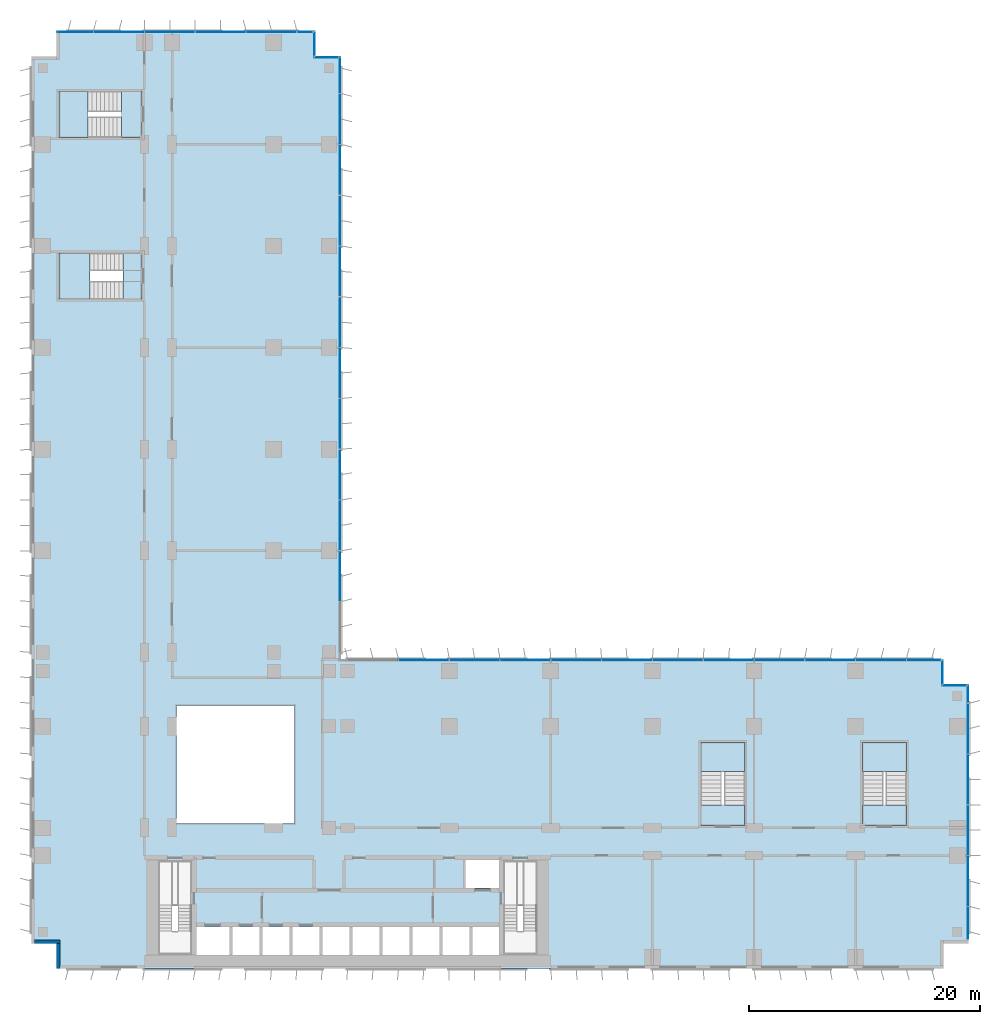
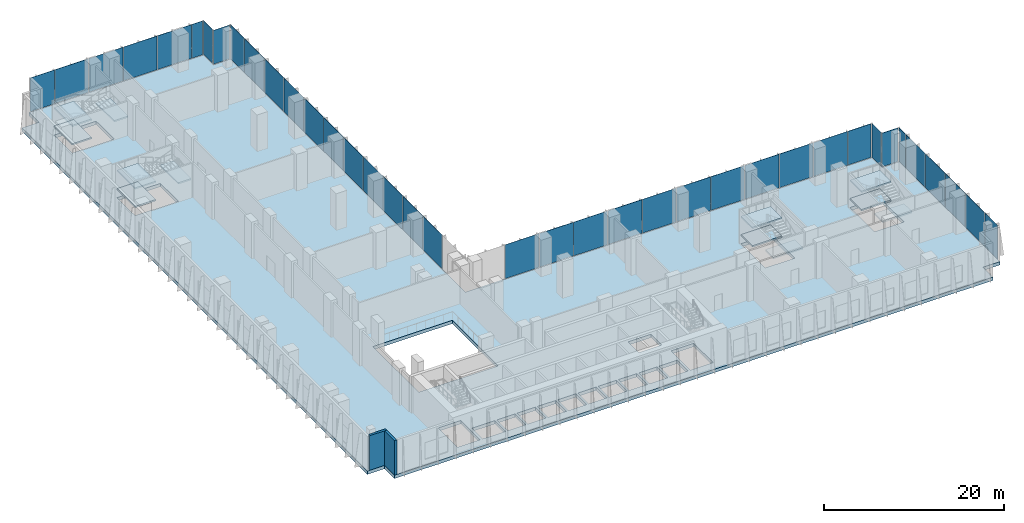
# One storey, part 11 of 23: 38 plates, 13 slabs, 2 walls, 12 elements without a shape of their own.
"""IFC4 building model written with IfcOpenShell, lengths in metres."""

import ifcopenshell
import ifcopenshell.guid

model = None  # the IFC model being written
_history = None  # IfcOwnerHistory: only IFC2X3 demands one
_inside = {}  # id of a spatial element -> (the spatial element, [elements in it])
_under = {}  # id of a project, library or spatial element -> (it, [spatial elements below it])
_declared = {}  # id of a project -> (the project, [libraries it declares])
_typed = {}  # id of a type object -> (the type object, [elements of that type])
_made_of = {}  # id of a material, layer set ... -> (it, [elements and type objects made of it])


def new_model(schema):
    """Start an empty IFC model of exactly this schema.

    Asked for "IFC4X3", IfcOpenShell would pick the latest addendum, in which some entities
    have other attributes; the version numbers below select the first issue.
    IFC2X3 requires an IfcOwnerHistory on every rooted entity: one is made here for all.
    """
    global model, _history
    if schema == "IFC4X3":
        model = ifcopenshell.file(schema_version=(4, 3, 0, 0))
    else:
        model = ifcopenshell.file(schema=schema)
    _inside.clear()
    _under.clear()
    _declared.clear()
    _typed.clear()
    _made_of.clear()
    _history = None
    if model.schema == "IFC2X3":
        org = make("IfcOrganization", Name="unknown")
        user = make(
            "IfcPersonAndOrganization",
            ThePerson=make("IfcPerson", FamilyName="unknown"),
            TheOrganization=org,
        )
        app = make(
            "IfcApplication",
            ApplicationDeveloper=org,
            Version="unknown",
            ApplicationFullName="unknown",
            ApplicationIdentifier="unknown",
        )
        _history = make(
            "IfcOwnerHistory",
            OwningUser=user,
            OwningApplication=app,
            ChangeAction="ADDED",
            CreationDate=0,
        )
    return model


def make(cls, **values):
    """One entity of the class cls with the attributes given. An attribute that is None is left unset."""
    return model.create_entity(
        cls, **{name: value for name, value in values.items() if value is not None}
    )


def rooted(cls, **values):
    """An entity with a GlobalId (a new one), such as an element, a storey or a relation."""
    return make(cls, GlobalId=ifcopenshell.guid.new(), OwnerHistory=_history, **values)


def si_unit(unit_type, name, prefix=None):
    """IfcSIUnit, for example si_unit("LENGTHUNIT", "METRE", prefix="MILLI")."""
    return make("IfcSIUnit", UnitType=unit_type, Prefix=prefix, Name=name)


def assignment(units):
    """IfcUnitAssignment: the units of a project."""
    return None if units is None else make("IfcUnitAssignment", Units=units)


def point(xyz):
    """IfcCartesianPoint."""
    return None if xyz is None else make("IfcCartesianPoint", Coordinates=xyz)


def direction(xyz):
    """IfcDirection."""
    return None if xyz is None else make("IfcDirection", DirectionRatios=xyz)


def frame(location, z_axis=None, x_axis=None):
    """IfcAxis2Placement3D, a coordinate frame: its origin and axes. An axis left out is left unset."""
    return make(
        "IfcAxis2Placement3D",
        Location=point(location),
        Axis=direction(z_axis),
        RefDirection=direction(x_axis),
    )


def frame_2d(location, x_axis=None):
    """IfcAxis2Placement2D, a coordinate frame in the plane: its origin and x axis."""
    return make(
        "IfcAxis2Placement2D", Location=point(location), RefDirection=direction(x_axis)
    )


def origin():
    """The frame at (0, 0, 0) with its axes left unset."""
    return frame((0.0, 0.0, 0.0))


def origin_2d():
    """The frame at (0, 0) in the plane with its x axis left unset."""
    return frame_2d((0.0, 0.0))


def place(relative_to, where):
    """IfcLocalPlacement: puts the frame where relative to a parent placement (None: the world)."""
    return make(
        "IfcLocalPlacement", PlacementRelTo=relative_to, RelativePlacement=where
    )


def context(
    kind, dimensions, precision=None, world=None, true_north=None, identifier=None
):
    """IfcGeometricRepresentationContext, for example the 3D "Model" context."""
    return make(
        "IfcGeometricRepresentationContext",
        ContextIdentifier=identifier,
        ContextType=kind,
        CoordinateSpaceDimension=dimensions,
        Precision=precision,
        WorldCoordinateSystem=world,
        TrueNorth=true_north,
    )


def subcontext(parent, identifier, kind, view, scale=None):
    """IfcGeometricRepresentationSubContext, for example "Body" below "Model"."""
    return make(
        "IfcGeometricRepresentationSubContext",
        ContextIdentifier=identifier,
        ContextType=kind,
        ParentContext=parent,
        TargetScale=scale,
        TargetView=view,
    )


def project(units=None, contexts=None):
    """IfcProject with its units and contexts."""
    return rooted(
        "IfcProject",
        Name="project",
        RepresentationContexts=contexts,
        UnitsInContext=assignment(units),
    )


def spatial(cls, under=None, at=None, **own):
    """A site, building, storey or space (cls), placed at a placement, below another one or the project."""
    s = rooted(cls, ObjectPlacement=at, **own)
    if under is not None:
        _under.setdefault(under.id(), (under, []))[1].append(s)
    return s


def polyline(points):
    """IfcPolyline through the points."""
    return make("IfcPolyline", Points=[point(p) for p in points])


def profile(cls, at=None, kind="AREA", **sizes):
    """A parametric profile (cls). Its sizes go by their IFC names, for example OverallWidth=200.0."""
    return make(cls, ProfileType=kind, Position=at, **sizes)


def rectangle(**sizes):
    """IfcRectangleProfileDef."""
    return profile("IfcRectangleProfileDef", **sizes)


def outline(outer, holes=None, kind="AREA"):
    """IfcArbitraryClosedProfileDef: a profile drawn as a closed curve; with holes, ...WithVoids."""
    if holes is None:
        return make("IfcArbitraryClosedProfileDef", ProfileType=kind, OuterCurve=outer)
    return make(
        "IfcArbitraryProfileDefWithVoids",
        ProfileType=kind,
        OuterCurve=outer,
        InnerCurves=holes,
    )


def extrude(swept, where, along, depth):
    """IfcExtrudedAreaSolid: the profile swept, set in the frame where, extruded along a direction by depth."""
    return make(
        "IfcExtrudedAreaSolid",
        SweptArea=swept,
        Position=where,
        ExtrudedDirection=direction(along),
        Depth=depth,
    )


def shape(context_of_items, identifier, shape_type, items):
    """IfcShapeRepresentation: the items that make up one representation, for example the "Body"."""
    return make(
        "IfcShapeRepresentation",
        ContextOfItems=context_of_items,
        RepresentationIdentifier=identifier,
        RepresentationType=shape_type,
        Items=items,
    )


def source(mapping_origin, context_of_items, identifier, shape_type, items):
    """IfcRepresentationMap: a shape defined once, which mapped items show again and again."""
    return make(
        "IfcRepresentationMap",
        MappingOrigin=mapping_origin,
        MappedRepresentation=shape(context_of_items, identifier, shape_type, items),
    )


def transform(
    local_origin,
    x_axis=None,
    y_axis=None,
    z_axis=None,
    scale=None,
    scale2=None,
    scale3=None,
    uniform=True,
):
    """IfcCartesianTransformationOperator3D, or its non-uniform kind. x_axis, y_axis, z_axis: its Axis1, 2, 3."""
    if uniform:
        return make(
            "IfcCartesianTransformationOperator3D",
            Axis1=direction(x_axis),
            Axis2=direction(y_axis),
            LocalOrigin=point(local_origin),
            Scale=scale,
            Axis3=direction(z_axis),
        )
    return make(
        "IfcCartesianTransformationOperator3DnonUniform",
        Axis1=direction(x_axis),
        Axis2=direction(y_axis),
        LocalOrigin=point(local_origin),
        Scale=scale,
        Axis3=direction(z_axis),
        Scale2=scale2,
        Scale3=scale3,
    )


def mapped(mapping_source, mapping_target):
    """IfcMappedItem: shows the shape of a source again, moved by a transform."""
    return make(
        "IfcMappedItem", MappingSource=mapping_source, MappingTarget=mapping_target
    )


def material(Name=None, Category=None):
    """IfcMaterial."""
    return make("IfcMaterial", Name=Name, Category=Category)


def layer(
    of_material, thickness, ventilated=None, Name=None, Category=None, Priority=None
):
    """IfcMaterialLayer: one layer of a wall or slab, of a material (None: an air gap)."""
    return make(
        "IfcMaterialLayer",
        Material=of_material,
        LayerThickness=thickness,
        IsVentilated=ventilated,
        Name=Name,
        Category=Category,
        Priority=Priority,
    )


def layer_set(layers, Name=None):
    """IfcMaterialLayerSet."""
    return make("IfcMaterialLayerSet", MaterialLayers=layers, LayerSetName=Name)


def made_of(thing, what):
    """Note that an element or type object is made of a material, layer set ...; save() writes the relation."""
    if what is not None:
        _made_of.setdefault(what.id(), (what, []))[1].append(thing)
    return thing


def type_object(cls, material=None, **own):
    """A type object (cls), such as IfcWallType, which elements share."""
    return made_of(rooted(cls, **own), material)


def element(
    cls,
    number,
    at=None,
    inside=None,
    cuts=None,
    type_object=None,
    material=None,
    context=None,
    identifier="Body",
    shape_type=None,
    held_by="IfcProductDefinitionShape",
    body=None,
    shapes=None,
    **own,
):
    """One element of the class cls, such as IfcWall. Its Tag is "e" and its number.

    at: its placement. inside: the storey or other place that contains it. cuts: it is an
    opening in that element (IfcRelVoidsElement). A single representation is given by context,
    identifier, shape_type and body (its items); several are given by shapes. held_by: the class
    of the entity that holds the representations. save() writes the other relations.
    """
    e = rooted(cls, Tag="e%d" % number, ObjectPlacement=at, **own)
    if body is not None:
        shapes = [shape(context, identifier, shape_type, body)]
    if shapes is not None:
        e.Representation = make(held_by, Representations=shapes)
    if inside is not None:
        _inside.setdefault(inside.id(), (inside, []))[1].append(e)
    if cuts is not None:
        rooted(
            "IfcRelVoidsElement", RelatingBuildingElement=cuts, RelatedOpeningElement=e
        )
    if type_object is not None:
        _typed.setdefault(type_object.id(), (type_object, []))[1].append(e)
    return made_of(e, material)


def aggregate(whole, parts):
    """IfcRelAggregates: a whole, such as a stair, and the parts it consists of."""
    return rooted("IfcRelAggregates", RelatingObject=whole, RelatedObjects=parts)


def save(model, path):
    """Write the relations noted so far, then the file.

    IfcRelAggregates (storeys below a building ...), IfcRelContainedInSpatialStructure (elements
    in a storey), IfcRelDefinesByType, IfcRelAssociatesMaterial and IfcRelDeclares: one each for
    every whole, place, type object, material and project.
    """
    for whole, parts in _under.values():
        aggregate(whole, parts)
    for where, things in _inside.values():
        rooted(
            "IfcRelContainedInSpatialStructure",
            RelatedElements=things,
            RelatingStructure=where,
        )
    for kind, things in _typed.values():
        rooted("IfcRelDefinesByType", RelatedObjects=things, RelatingType=kind)
    for what, things in _made_of.values():
        rooted("IfcRelAssociatesMaterial", RelatedObjects=things, RelatingMaterial=what)
    for by, libraries in _declared.values():
        rooted("IfcRelDeclares", RelatingContext=by, RelatedDefinitions=libraries)
    model.write(path)


model = new_model("IFC4")

# Units and contexts
model_context = context("Model", 3, precision=1e-05, world=origin(), true_north=direction((0.0, 1.0)))
body_context = subcontext(model_context, "Body", "Model", "MODEL_VIEW")
ifc_project = project(units=[si_unit("LENGTHUNIT", "METRE"), si_unit("AREAUNIT", "SQUARE_METRE"), si_unit("VOLUMEUNIT", "CUBIC_METRE"), si_unit("PLANEANGLEUNIT", "RADIAN"), si_unit("MASSUNIT", "GRAM", prefix="KILO")], contexts=[model_context])

# Site, building, storey
site_placement = place(None, origin())
site = spatial("IfcSite", under=ifc_project, at=site_placement, CompositionType="ELEMENT")
building_placement = place(site_placement, origin())
building = spatial("IfcBuilding", under=site, at=building_placement, Name="Kemantara Hotel Tower", CompositionType="ELEMENT")
storey_placement = place(building_placement, frame((0.0, 0.0, 71.0)))
storey = spatial("IfcBuildingStorey", under=building, at=storey_placement, Name="L16", CompositionType="ELEMENT", Elevation=71.0)

# Slab
ifc_material_1 = material(Name="Concrete fc 40 MPa", Category="concrete")
ifc_layer_1 = layer(ifc_material_1, 0.449951171875)
ifc_layer_set_1 = layer_set([ifc_layer_1], Name="Concrete fc 40 MPa")
slab_type_1 = type_object("IfcSlabType", Name="REINFORCED DIAPHRAGM SLAB 450", PredefinedType="FLOOR", material=ifc_layer_set_1)
slab_1_placement = place(storey_placement, frame((0.0, 0.0, -0.449951171875)))
element("IfcSlab", 1, at=slab_1_placement, inside=storey, type_object=slab_type_1, Name="FLOOR SLAB L16", PredefinedType="FLOOR", context=body_context, shape_type="SweptSolid", body=[
    extrude(outline(polyline([(0.0, 2.199951171875), (2.199951171875, 2.199951171875), (2.199951171875, 0.0), (79.0, 0.0), (79.0, 2.199951171875), (81.199951171875, 2.199951171875), (81.199951171875, 24.60009765625), (79.0, 24.60009765625), (79.0, 26.800048828125), (26.800048828125, 26.800048828125), (26.800048828125, 79.0), (24.60009765625, 79.0), (24.60009765625, 81.199951171875), (2.199951171875, 81.199951171875), (2.199951171875, 79.0), (0.0, 79.0), (0.0, 2.199951171875)]), holes=[polyline([(17.175048828125, 1.199951171875), (14.22509765625, 1.199951171875), (14.22509765625, 3.60009765625), (17.175048828125, 3.60009765625), (17.175048828125, 1.199951171875)]), polyline([(19.77490234375, 1.199951171875), (17.425048828125, 1.199951171875), (17.425048828125, 3.60009765625), (19.77490234375, 3.60009765625), (19.77490234375, 1.199951171875)]), polyline([(22.375, 1.199951171875), (20.02490234375, 1.199951171875), (20.02490234375, 3.60009765625), (22.375, 3.60009765625), (22.375, 1.199951171875)]), polyline([(24.97509765625, 1.199951171875), (22.625, 1.199951171875), (22.625, 3.60009765625), (24.97509765625, 3.60009765625), (24.97509765625, 1.199951171875)]), polyline([(27.574951171875, 1.199951171875), (25.22509765625, 1.199951171875), (25.22509765625, 3.60009765625), (27.574951171875, 3.60009765625), (27.574951171875, 1.199951171875)]), polyline([(11.0, 1.199951171875), (11.0, 5.49951171875), (13.89990234375, 5.49951171875), (13.89990234375, 1.199951171875), (11.0, 1.199951171875)]), polyline([(22.800048828125, 12.60009765625), (12.60009765625, 12.60009765625), (12.60009765625, 22.800048828125), (22.800048828125, 22.800048828125), (22.800048828125, 12.60009765625)]), polyline([(7.949462890625, 62.0), (7.949462890625, 58.0), (2.39990234375, 58.0), (2.39990234375, 62.0), (7.949462890625, 62.0)]), polyline([(7.79931640625, 76.0), (7.79931640625, 72.0), (2.39990234375, 72.0), (2.39990234375, 76.0), (7.79931640625, 76.0)]), polyline([(30.175048828125, 1.199951171875), (27.824951171875, 1.199951171875), (27.824951171875, 3.60009765625), (30.175048828125, 3.60009765625), (30.175048828125, 1.199951171875)]), polyline([(32.77490234375, 1.199951171875), (30.425048828125, 1.199951171875), (30.425048828125, 3.60009765625), (32.77490234375, 3.60009765625), (32.77490234375, 1.199951171875)]), polyline([(35.375, 1.199951171875), (33.02490234375, 1.199951171875), (33.02490234375, 3.60009765625), (35.375, 3.60009765625), (35.375, 1.199951171875)]), polyline([(37.97509765625, 1.199951171875), (35.625, 1.199951171875), (35.625, 3.60009765625), (37.97509765625, 3.60009765625), (37.97509765625, 1.199951171875)]), polyline([(40.574951171875, 1.199951171875), (38.22509765625, 1.199951171875), (38.22509765625, 3.60009765625), (40.574951171875, 3.60009765625), (40.574951171875, 1.199951171875)]), polyline([(40.89990234375, 1.199951171875), (40.89990234375, 5.49951171875), (43.800048828125, 5.49951171875), (43.800048828125, 1.199951171875), (40.89990234375, 1.199951171875)]), polyline([(40.574951171875, 7.0), (37.625, 7.0), (37.625, 9.39990234375), (40.574951171875, 9.39990234375), (40.574951171875, 7.0)]), polyline([(61.800048828125, 14.20068359375), (58.0, 14.20068359375), (58.0, 19.60009765625), (61.800048828125, 19.60009765625), (61.800048828125, 14.20068359375)]), polyline([(75.800048828125, 14.20068359375), (72.0, 14.20068359375), (72.0, 19.60009765625), (75.800048828125, 19.60009765625), (75.800048828125, 14.20068359375)])]), origin(), (0.0, 0.0, 1.0), 0.449951171875),
])

# Stair, slabs
stair_type_1 = type_object("IfcStairType", Name="Stair 1800 wide 36 risers of 139 x 360 mm", PredefinedType="HALF_TURN_STAIR", material=ifc_material_1)
stair_1_placement = place(storey_placement, origin())
stair_1 = element("IfcStair", 2, at=stair_1_placement, inside=storey, type_object=stair_type_1, Name="L16 Exit stair ST3", PredefinedType="HALF_TURN_STAIR")
ifc_layer_2 = layer(ifc_material_1, 0.199951171875)
ifc_layer_set_2 = layer_set([ifc_layer_2], Name="Concrete fc 40 MPa")
slab_type_2 = type_object("IfcSlabType", Name="Stair landing 200 mm", PredefinedType="LANDING", material=ifc_layer_set_2)
slab_2_placement = place(storey_placement, frame((0.0, 0.0, 1.050048828125)))
slab_2 = element("IfcSlab", 3, at=slab_2_placement, type_object=slab_type_2, Name="ST3 landing 1", PredefinedType="LANDING", context=body_context, shape_type="SweptSolid", body=[
    extrude(outline(polyline([(61.800048828125, 17.080078125), (61.800048828125, 19.60009765625), (58.0, 19.60009765625), (58.0, 17.080078125), (61.800048828125, 17.080078125)])), origin(), (0.0, 0.0, 1.0), 0.199951171875),
])
slab_3_placement = place(storey_placement, frame((0.0, 0.0, 2.300048828125)))
slab_3 = element("IfcSlab", 4, at=slab_3_placement, type_object=slab_type_2, Name="ST3 landing 2", PredefinedType="LANDING", context=body_context, shape_type="SweptSolid", body=[
    extrude(outline(polyline([(61.800048828125, 12.39990234375), (61.800048828125, 14.199951171875), (58.0, 14.199951171875), (58.0, 12.39990234375), (61.800048828125, 12.39990234375)])), origin(), (0.0, 0.0, 1.0), 0.199951171875),
])
slab_4_placement = place(storey_placement, frame((0.0, 0.0, 3.550048828125)))
slab_4 = element("IfcSlab", 5, at=slab_4_placement, type_object=slab_type_2, Name="ST3 landing 3", PredefinedType="LANDING", context=body_context, shape_type="SweptSolid", body=[
    extrude(outline(polyline([(61.800048828125, 17.080078125), (61.800048828125, 19.60009765625), (58.0, 19.60009765625), (58.0, 17.080078125), (61.800048828125, 17.080078125)])), origin(), (0.0, 0.0, 1.0), 0.199951171875),
])
aggregate(stair_1, [slab_2, slab_3, slab_4])

stair_type_2 = type_object("IfcStairType", Name="Stair 1550 wide 36 risers of 139 x 360 mm", PredefinedType="HALF_TURN_STAIR", material=ifc_material_1)
stair_2_placement = place(storey_placement, origin())
stair_2 = element("IfcStair", 6, at=stair_2_placement, inside=storey, type_object=stair_type_2, Name="L16 Exit stair ST4", PredefinedType="HALF_TURN_STAIR")
slab_5_placement = place(storey_placement, frame((0.0, 0.0, 1.050048828125)))
slab_5 = element("IfcSlab", 7, at=slab_5_placement, type_object=slab_type_2, Name="ST4 landing 1", PredefinedType="LANDING", context=body_context, shape_type="SweptSolid", body=[
    extrude(outline(polyline([(5.070068359375, 62.0), (2.39990234375, 62.0), (2.39990234375, 58.0), (5.070068359375, 58.0), (5.070068359375, 62.0)])), origin(), (0.0, 0.0, 1.0), 0.199951171875),
])
slab_6_placement = place(storey_placement, frame((0.0, 0.0, 2.300048828125)))
slab_6 = element("IfcSlab", 8, at=slab_6_placement, type_object=slab_type_2, Name="ST4 landing 2", PredefinedType="LANDING", context=body_context, shape_type="SweptSolid", body=[
    extrude(outline(polyline([(9.60009765625, 62.0), (7.949951171875, 62.0), (7.949951171875, 58.0), (9.60009765625, 58.0), (9.60009765625, 62.0)])), origin(), (0.0, 0.0, 1.0), 0.199951171875),
])
slab_7_placement = place(storey_placement, frame((0.0, 0.0, 3.550048828125)))
slab_7 = element("IfcSlab", 9, at=slab_7_placement, type_object=slab_type_2, Name="ST4 landing 3", PredefinedType="LANDING", context=body_context, shape_type="SweptSolid", body=[
    extrude(outline(polyline([(5.070068359375, 62.0), (2.39990234375, 62.0), (2.39990234375, 58.0), (5.070068359375, 58.0), (5.070068359375, 62.0)])), origin(), (0.0, 0.0, 1.0), 0.199951171875),
])
aggregate(stair_2, [slab_5, slab_6, slab_7])

stair_3_placement = place(storey_placement, origin())
stair_3 = element("IfcStair", 10, at=stair_3_placement, inside=storey, type_object=stair_type_1, Name="L16 Exit stair ST5", PredefinedType="HALF_TURN_STAIR")
slab_8_placement = place(storey_placement, frame((0.0, 0.0, 1.050048828125)))
slab_8 = element("IfcSlab", 11, at=slab_8_placement, type_object=slab_type_2, Name="ST5 landing 1", PredefinedType="LANDING", context=body_context, shape_type="SweptSolid", body=[
    extrude(outline(polyline([(75.800048828125, 17.080078125), (75.800048828125, 19.60009765625), (72.0, 19.60009765625), (72.0, 17.080078125), (75.800048828125, 17.080078125)])), origin(), (0.0, 0.0, 1.0), 0.199951171875),
])
slab_9_placement = place(storey_placement, frame((0.0, 0.0, 2.300048828125)))
slab_9 = element("IfcSlab", 12, at=slab_9_placement, type_object=slab_type_2, Name="ST5 landing 2", PredefinedType="LANDING", context=body_context, shape_type="SweptSolid", body=[
    extrude(outline(polyline([(75.800048828125, 12.39990234375), (75.800048828125, 14.199951171875), (72.0, 14.199951171875), (72.0, 12.39990234375), (75.800048828125, 12.39990234375)])), origin(), (0.0, 0.0, 1.0), 0.199951171875),
])
slab_10_placement = place(storey_placement, frame((0.0, 0.0, 3.550048828125)))
slab_10 = element("IfcSlab", 13, at=slab_10_placement, type_object=slab_type_2, Name="ST5 landing 3", PredefinedType="LANDING", context=body_context, shape_type="SweptSolid", body=[
    extrude(outline(polyline([(75.800048828125, 17.080078125), (75.800048828125, 19.60009765625), (72.0, 19.60009765625), (72.0, 17.080078125), (75.800048828125, 17.080078125)])), origin(), (0.0, 0.0, 1.0), 0.199951171875),
])
aggregate(stair_3, [slab_8, slab_9, slab_10])

stair_4_placement = place(storey_placement, origin())
stair_4 = element("IfcStair", 14, at=stair_4_placement, inside=storey, type_object=stair_type_1, Name="L16 Exit stair ST6", PredefinedType="HALF_TURN_STAIR")
slab_11_placement = place(storey_placement, frame((0.0, 0.0, 1.050048828125)))
slab_11 = element("IfcSlab", 15, at=slab_11_placement, type_object=slab_type_2, Name="ST6 landing 1", PredefinedType="LANDING", context=body_context, shape_type="SweptSolid", body=[
    extrude(outline(polyline([(4.919921875, 76.0), (2.39990234375, 76.0), (2.39990234375, 72.0), (4.919921875, 72.0), (4.919921875, 76.0)])), origin(), (0.0, 0.0, 1.0), 0.199951171875),
])
slab_12_placement = place(storey_placement, frame((0.0, 0.0, 2.300048828125)))
slab_12 = element("IfcSlab", 16, at=slab_12_placement, type_object=slab_type_2, Name="ST6 landing 2", PredefinedType="LANDING", context=body_context, shape_type="SweptSolid", body=[
    extrude(outline(polyline([(9.60009765625, 76.0), (7.800048828125, 76.0), (7.800048828125, 72.0), (9.60009765625, 72.0), (9.60009765625, 76.0)])), origin(), (0.0, 0.0, 1.0), 0.199951171875),
])
slab_13_placement = place(storey_placement, frame((0.0, 0.0, 3.550048828125)))
slab_13 = element("IfcSlab", 17, at=slab_13_placement, type_object=slab_type_2, Name="ST6 landing 3", PredefinedType="LANDING", context=body_context, shape_type="SweptSolid", body=[
    extrude(outline(polyline([(4.919921875, 76.0), (2.39990234375, 76.0), (2.39990234375, 72.0), (4.919921875, 72.0), (4.919921875, 76.0)])), origin(), (0.0, 0.0, 1.0), 0.199951171875),
])
aggregate(stair_4, [slab_11, slab_12, slab_13])

# Curtain wall, plates
ifc_material_2 = material(Name="Low-E tinted double insulated glass 36 mm", Category="glass")
curtain_wall_type = type_object("IfcCurtainWallType", Name="TOWER CURTAIN WALL, FRONT FACES", PredefinedType="USERDEFINED", material=ifc_material_2)
curtain_wall_1_placement = place(storey_placement, origin())
curtain_wall_1 = element("IfcCurtainWall", 18, at=curtain_wall_1_placement, inside=storey, type_object=curtain_wall_type, Name="CW4 L16 T1-R04-1", ObjectType="TOWER CURTAIN WALL, FRONT FACES", PredefinedType="USERDEFINED")
ifc_layer_3 = layer(ifc_material_2, 0.035888671875)
ifc_layer_set_3 = layer_set([ifc_layer_3], Name="Low-E tinted double insulated glass 36 mm")
plate_type = type_object("IfcPlateType", Name="TOWER CURTAIN WALL, FRONT FACES PANEL", PredefinedType="CURTAIN_PANEL", material=ifc_layer_set_3)
shared_shape_1 = source(origin(), body_context, "Body", "SweptSolid", [
    extrude(rectangle(XDim=2.81005859375, YDim=0.035888671875, at=origin_2d()), origin(), (0.0, 0.0, 1.0), 4.580078125),
])
plate_1_placement = place(storey_placement, frame((81.125, 3.965087890625, 0.119873046875), z_axis=(0.0, 0.0, 1.0), x_axis=(0.0, 1.0, 0.0)))
plate_1 = element("IfcPlate", 19, at=plate_1_placement, type_object=plate_type, Name="CW4 glass panel T1-R04-1.1", PredefinedType="CURTAIN_PANEL", context=body_context, shape_type="MappedRepresentation", body=[
    mapped(shared_shape_1, transform((0.0, 0.0, 0.0))),
])
shared_shape_2 = source(origin(), body_context, "Body", "SweptSolid", [
    extrude(rectangle(XDim=4.340087890625, YDim=0.035888671875, at=origin_2d()), origin(), (0.0, 0.0, 1.0), 4.580078125),
])
plate_2_placement = place(storey_placement, frame((81.125, 7.60009765625, 0.119873046875), z_axis=(0.0, 0.0, 1.0), x_axis=(0.0, 1.0, 0.0)))
plate_2 = element("IfcPlate", 20, at=plate_2_placement, type_object=plate_type, Name="CW4 glass panel T1-R04-1.2", PredefinedType="CURTAIN_PANEL", context=body_context, shape_type="MappedRepresentation", body=[
    mapped(shared_shape_2, transform((0.0, 0.0, 0.0))),
])
plate_3_placement = place(storey_placement, frame((81.125, 12.0, 0.119873046875), z_axis=(0.0, 0.0, 1.0), x_axis=(0.0, 1.0, 0.0)))
plate_3 = element("IfcPlate", 21, at=plate_3_placement, type_object=plate_type, Name="CW4 glass panel T1-R04-1.3", PredefinedType="CURTAIN_PANEL", context=body_context, shape_type="MappedRepresentation", body=[
    mapped(shared_shape_2, transform((0.0, 0.0, 0.0))),
])
plate_4_placement = place(storey_placement, frame((81.125, 16.39990234375, 0.119873046875), z_axis=(0.0, 0.0, 1.0), x_axis=(0.0, 1.0, 0.0)))
plate_4 = element("IfcPlate", 22, at=plate_4_placement, type_object=plate_type, Name="CW4 glass panel T1-R04-1.4", PredefinedType="CURTAIN_PANEL", context=body_context, shape_type="MappedRepresentation", body=[
    mapped(shared_shape_2, transform((0.0, 0.0, 0.0))),
])
plate_5_placement = place(storey_placement, frame((81.125, 20.800048828125, 0.119873046875), z_axis=(0.0, 0.0, 1.0), x_axis=(0.0, 1.0, 0.0)))
plate_5 = element("IfcPlate", 23, at=plate_5_placement, type_object=plate_type, Name="CW4 glass panel T1-R04-1.5", PredefinedType="CURTAIN_PANEL", context=body_context, shape_type="MappedRepresentation", body=[
    mapped(shared_shape_2, transform((0.0, 0.0, 0.0))),
])

curtain_wall_2_placement = place(storey_placement, origin())
curtain_wall_2 = element("IfcCurtainWall", 24, at=curtain_wall_2_placement, inside=storey, type_object=curtain_wall_type, Name="CW4 L16 T1-R07-1", ObjectType="TOWER CURTAIN WALL, FRONT FACES", PredefinedType="USERDEFINED")
plate_6_placement = place(storey_placement, frame((73.60009765625, 26.72509765625, 0.119873046875), z_axis=(0.0, 0.0, 1.0), x_axis=(-1.0, 0.0, 0.0)))
plate_6 = element("IfcPlate", 25, at=plate_6_placement, type_object=plate_type, Name="CW4 glass panel T1-R07-1.2", PredefinedType="CURTAIN_PANEL", context=body_context, shape_type="MappedRepresentation", body=[
    mapped(shared_shape_2, transform((0.0, 0.0, 0.0))),
])
plate_7_placement = place(storey_placement, frame((69.199951171875, 26.72509765625, 0.119873046875), z_axis=(0.0, 0.0, 1.0), x_axis=(-1.0, 0.0, 0.0)))
plate_7 = element("IfcPlate", 26, at=plate_7_placement, type_object=plate_type, Name="CW4 glass panel T1-R07-1.3", PredefinedType="CURTAIN_PANEL", context=body_context, shape_type="MappedRepresentation", body=[
    mapped(shared_shape_2, transform((0.0, 0.0, 0.0))),
])
plate_8_placement = place(storey_placement, frame((64.800048828125, 26.72509765625, 0.119873046875), z_axis=(0.0, 0.0, 1.0), x_axis=(-1.0, 0.0, 0.0)))
plate_8 = element("IfcPlate", 27, at=plate_8_placement, type_object=plate_type, Name="CW4 glass panel T1-R07-1.4", PredefinedType="CURTAIN_PANEL", context=body_context, shape_type="MappedRepresentation", body=[
    mapped(shared_shape_2, transform((0.0, 0.0, 0.0))),
])
plate_9_placement = place(storey_placement, frame((60.39990234375, 26.72509765625, 0.119873046875), z_axis=(0.0, 0.0, 1.0), x_axis=(-1.0, 0.0, 0.0)))
plate_9 = element("IfcPlate", 28, at=plate_9_placement, type_object=plate_type, Name="CW4 glass panel T1-R07-1.5", PredefinedType="CURTAIN_PANEL", context=body_context, shape_type="MappedRepresentation", body=[
    mapped(shared_shape_2, transform((0.0, 0.0, 0.0))),
])
plate_10_placement = place(storey_placement, frame((56.0, 26.72509765625, 0.119873046875), z_axis=(0.0, 0.0, 1.0), x_axis=(-1.0, 0.0, 0.0)))
plate_10 = element("IfcPlate", 29, at=plate_10_placement, type_object=plate_type, Name="CW4 glass panel T1-R07-1.6", PredefinedType="CURTAIN_PANEL", context=body_context, shape_type="MappedRepresentation", body=[
    mapped(shared_shape_2, transform((0.0, 0.0, 0.0))),
])
plate_11_placement = place(storey_placement, frame((51.60009765625, 26.72509765625, 0.119873046875), z_axis=(0.0, 0.0, 1.0), x_axis=(-1.0, 0.0, 0.0)))
plate_11 = element("IfcPlate", 30, at=plate_11_placement, type_object=plate_type, Name="CW4 glass panel T1-R07-1.7", PredefinedType="CURTAIN_PANEL", context=body_context, shape_type="MappedRepresentation", body=[
    mapped(shared_shape_2, transform((0.0, 0.0, 0.0))),
])
plate_12_placement = place(storey_placement, frame((47.199951171875, 26.72509765625, 0.119873046875), z_axis=(0.0, 0.0, 1.0), x_axis=(-1.0, 0.0, 0.0)))
plate_12 = element("IfcPlate", 31, at=plate_12_placement, type_object=plate_type, Name="CW4 glass panel T1-R07-1.8", PredefinedType="CURTAIN_PANEL", context=body_context, shape_type="MappedRepresentation", body=[
    mapped(shared_shape_2, transform((0.0, 0.0, 0.0))),
])
plate_13_placement = place(storey_placement, frame((42.800048828125, 26.72509765625, 0.119873046875), z_axis=(0.0, 0.0, 1.0), x_axis=(-1.0, 0.0, 0.0)))
plate_13 = element("IfcPlate", 32, at=plate_13_placement, type_object=plate_type, Name="CW4 glass panel T1-R07-1.9", PredefinedType="CURTAIN_PANEL", context=body_context, shape_type="MappedRepresentation", body=[
    mapped(shared_shape_2, transform((0.0, 0.0, 0.0))),
])
plate_14_placement = place(storey_placement, frame((38.39990234375, 26.72509765625, 0.119873046875), z_axis=(0.0, 0.0, 1.0), x_axis=(-1.0, 0.0, 0.0)))
plate_14 = element("IfcPlate", 33, at=plate_14_placement, type_object=plate_type, Name="CW4 glass panel T1-R07-1.10", PredefinedType="CURTAIN_PANEL", context=body_context, shape_type="MappedRepresentation", body=[
    mapped(shared_shape_2, transform((0.0, 0.0, 0.0))),
])
plate_15_placement = place(storey_placement, frame((34.0, 26.72509765625, 0.119873046875), z_axis=(0.0, 0.0, 1.0), x_axis=(-1.0, 0.0, 0.0)))
plate_15 = element("IfcPlate", 34, at=plate_15_placement, type_object=plate_type, Name="CW4 glass panel T1-R07-1.11", PredefinedType="CURTAIN_PANEL", context=body_context, shape_type="MappedRepresentation", body=[
    mapped(shared_shape_2, transform((0.0, 0.0, 0.0))),
])

curtain_wall_3_placement = place(storey_placement, origin())
curtain_wall_3 = element("IfcCurtainWall", 35, at=curtain_wall_3_placement, inside=storey, type_object=curtain_wall_type, Name="CW4 L16 T1-R08-1", ObjectType="TOWER CURTAIN WALL, FRONT FACES", PredefinedType="USERDEFINED")
plate_16_placement = place(storey_placement, frame((26.72509765625, 34.0, 0.119873046875), z_axis=(0.0, 0.0, 1.0), x_axis=(0.0, 1.0, 0.0)))
plate_16 = element("IfcPlate", 36, at=plate_16_placement, type_object=plate_type, Name="CW4 glass panel T1-R08-1.3", PredefinedType="CURTAIN_PANEL", context=body_context, shape_type="MappedRepresentation", body=[
    mapped(shared_shape_2, transform((0.0, 0.0, 0.0))),
])
plate_17_placement = place(storey_placement, frame((26.72509765625, 38.39990234375, 0.119873046875), z_axis=(0.0, 0.0, 1.0), x_axis=(0.0, 1.0, 0.0)))
plate_17 = element("IfcPlate", 37, at=plate_17_placement, type_object=plate_type, Name="CW4 glass panel T1-R08-1.4", PredefinedType="CURTAIN_PANEL", context=body_context, shape_type="MappedRepresentation", body=[
    mapped(shared_shape_2, transform((0.0, 0.0, 0.0))),
])
plate_18_placement = place(storey_placement, frame((26.72509765625, 42.800048828125, 0.119873046875), z_axis=(0.0, 0.0, 1.0), x_axis=(0.0, 1.0, 0.0)))
plate_18 = element("IfcPlate", 38, at=plate_18_placement, type_object=plate_type, Name="CW4 glass panel T1-R08-1.5", PredefinedType="CURTAIN_PANEL", context=body_context, shape_type="MappedRepresentation", body=[
    mapped(shared_shape_2, transform((0.0, 0.0, 0.0))),
])
plate_19_placement = place(storey_placement, frame((26.72509765625, 47.199951171875, 0.119873046875), z_axis=(0.0, 0.0, 1.0), x_axis=(0.0, 1.0, 0.0)))
plate_19 = element("IfcPlate", 39, at=plate_19_placement, type_object=plate_type, Name="CW4 glass panel T1-R08-1.6", PredefinedType="CURTAIN_PANEL", context=body_context, shape_type="MappedRepresentation", body=[
    mapped(shared_shape_2, transform((0.0, 0.0, 0.0))),
])
plate_20_placement = place(storey_placement, frame((26.72509765625, 51.60009765625, 0.119873046875), z_axis=(0.0, 0.0, 1.0), x_axis=(0.0, 1.0, 0.0)))
plate_20 = element("IfcPlate", 40, at=plate_20_placement, type_object=plate_type, Name="CW4 glass panel T1-R08-1.7", PredefinedType="CURTAIN_PANEL", context=body_context, shape_type="MappedRepresentation", body=[
    mapped(shared_shape_2, transform((0.0, 0.0, 0.0))),
])
plate_21_placement = place(storey_placement, frame((26.72509765625, 56.0, 0.119873046875), z_axis=(0.0, 0.0, 1.0), x_axis=(0.0, 1.0, 0.0)))
plate_21 = element("IfcPlate", 41, at=plate_21_placement, type_object=plate_type, Name="CW4 glass panel T1-R08-1.8", PredefinedType="CURTAIN_PANEL", context=body_context, shape_type="MappedRepresentation", body=[
    mapped(shared_shape_2, transform((0.0, 0.0, 0.0))),
])
plate_22_placement = place(storey_placement, frame((26.72509765625, 60.39990234375, 0.119873046875), z_axis=(0.0, 0.0, 1.0), x_axis=(0.0, 1.0, 0.0)))
plate_22 = element("IfcPlate", 42, at=plate_22_placement, type_object=plate_type, Name="CW4 glass panel T1-R08-1.9", PredefinedType="CURTAIN_PANEL", context=body_context, shape_type="MappedRepresentation", body=[
    mapped(shared_shape_2, transform((0.0, 0.0, 0.0))),
])
plate_23_placement = place(storey_placement, frame((26.72509765625, 64.800048828125, 0.119873046875), z_axis=(0.0, 0.0, 1.0), x_axis=(0.0, 1.0, 0.0)))
plate_23 = element("IfcPlate", 43, at=plate_23_placement, type_object=plate_type, Name="CW4 glass panel T1-R08-1.10", PredefinedType="CURTAIN_PANEL", context=body_context, shape_type="MappedRepresentation", body=[
    mapped(shared_shape_2, transform((0.0, 0.0, 0.0))),
])
plate_24_placement = place(storey_placement, frame((26.72509765625, 69.199951171875, 0.119873046875), z_axis=(0.0, 0.0, 1.0), x_axis=(0.0, 1.0, 0.0)))
plate_24 = element("IfcPlate", 44, at=plate_24_placement, type_object=plate_type, Name="CW4 glass panel T1-R08-1.11", PredefinedType="CURTAIN_PANEL", context=body_context, shape_type="MappedRepresentation", body=[
    mapped(shared_shape_2, transform((0.0, 0.0, 0.0))),
])
plate_25_placement = place(storey_placement, frame((26.72509765625, 73.60009765625, 0.119873046875), z_axis=(0.0, 0.0, 1.0), x_axis=(0.0, 1.0, 0.0)))
plate_25 = element("IfcPlate", 45, at=plate_25_placement, type_object=plate_type, Name="CW4 glass panel T1-R08-1.12", PredefinedType="CURTAIN_PANEL", context=body_context, shape_type="MappedRepresentation", body=[
    mapped(shared_shape_2, transform((0.0, 0.0, 0.0))),
])

curtain_wall_4_placement = place(storey_placement, origin())
curtain_wall_4 = element("IfcCurtainWall", 46, at=curtain_wall_4_placement, inside=storey, type_object=curtain_wall_type, Name="CW4 L16 T1-R11-1", ObjectType="TOWER CURTAIN WALL, FRONT FACES", PredefinedType="USERDEFINED")
plate_26_placement = place(storey_placement, frame((20.800048828125, 81.125, 0.119873046875), z_axis=(0.0, 0.0, 1.0), x_axis=(-1.0, 0.0, 0.0)))
plate_26 = element("IfcPlate", 47, at=plate_26_placement, type_object=plate_type, Name="CW4 glass panel T1-R11-1.2", PredefinedType="CURTAIN_PANEL", context=body_context, shape_type="MappedRepresentation", body=[
    mapped(shared_shape_2, transform((0.0, 0.0, 0.0))),
])
plate_27_placement = place(storey_placement, frame((16.39990234375, 81.125, 0.119873046875), z_axis=(0.0, 0.0, 1.0), x_axis=(-1.0, 0.0, 0.0)))
plate_27 = element("IfcPlate", 48, at=plate_27_placement, type_object=plate_type, Name="CW4 glass panel T1-R11-1.3", PredefinedType="CURTAIN_PANEL", context=body_context, shape_type="MappedRepresentation", body=[
    mapped(shared_shape_2, transform((0.0, 0.0, 0.0))),
])
plate_28_placement = place(storey_placement, frame((12.0, 81.125, 0.119873046875), z_axis=(0.0, 0.0, 1.0), x_axis=(-1.0, 0.0, 0.0)))
plate_28 = element("IfcPlate", 49, at=plate_28_placement, type_object=plate_type, Name="CW4 glass panel T1-R11-1.4", PredefinedType="CURTAIN_PANEL", context=body_context, shape_type="MappedRepresentation", body=[
    mapped(shared_shape_2, transform((0.0, 0.0, 0.0))),
])
plate_29_placement = place(storey_placement, frame((7.60009765625, 81.125, 0.119873046875), z_axis=(0.0, 0.0, 1.0), x_axis=(-1.0, 0.0, 0.0)))
plate_29 = element("IfcPlate", 50, at=plate_29_placement, type_object=plate_type, Name="CW4 glass panel T1-R11-1.5", PredefinedType="CURTAIN_PANEL", context=body_context, shape_type="MappedRepresentation", body=[
    mapped(shared_shape_2, transform((0.0, 0.0, 0.0))),
])

# Plate
shared_shape_3 = source(origin(), body_context, "Body", "SweptSolid", [
    extrude(rectangle(XDim=1.510009765625, YDim=0.035888671875, at=origin_2d()), origin(), (0.0, 0.0, 1.0), 4.580078125),
])
plate_30_placement = place(storey_placement, frame((81.125, 23.784912109375, 0.119873046875), z_axis=(0.0, 0.0, 1.0), x_axis=(0.0, 1.0, 0.0)))
plate_30 = element("IfcPlate", 51, at=plate_30_placement, type_object=plate_type, Name="CW4 glass panel T1-R04-1.6", PredefinedType="CURTAIN_PANEL", context=body_context, shape_type="MappedRepresentation", body=[
    mapped(shared_shape_3, transform((0.0, 0.0, 0.0))),
])

aggregate(curtain_wall_1, [plate_1, plate_2, plate_3, plate_4, plate_5, plate_30])

shared_shape_4 = source(origin(), body_context, "Body", "SweptSolid", [
    extrude(rectangle(XDim=2.9599609375, YDim=0.035888671875, at=origin_2d()), origin(), (0.0, 0.0, 1.0), 4.580078125),
])
plate_31_placement = place(storey_placement, frame((77.31005859375, 26.72509765625, 0.119873046875), z_axis=(0.0, 0.0, 1.0), x_axis=(-1.0, 0.0, 0.0)))
plate_31 = element("IfcPlate", 52, at=plate_31_placement, type_object=plate_type, Name="CW4 glass panel T1-R07-1.1", PredefinedType="CURTAIN_PANEL", context=body_context, shape_type="MappedRepresentation", body=[
    mapped(shared_shape_4, transform((0.0, 0.0, 0.0))),
])

aggregate(curtain_wall_2, [plate_31, plate_6, plate_7, plate_8, plate_9, plate_10, plate_11, plate_12, plate_13, plate_14, plate_15])

shared_shape_5 = source(origin(), body_context, "Body", "SweptSolid", [
    extrude(rectangle(XDim=3.110107421875, YDim=0.035888671875, at=origin_2d()), origin(), (0.0, 0.0, 1.0), 4.580078125),
])
plate_32_placement = place(storey_placement, frame((26.72509765625, 77.385009765625, 0.119873046875), z_axis=(0.0, 0.0, 1.0), x_axis=(0.0, 1.0, 0.0)))
plate_32 = element("IfcPlate", 53, at=plate_32_placement, type_object=plate_type, Name="CW4 glass panel T1-R08-1.13", PredefinedType="CURTAIN_PANEL", context=body_context, shape_type="MappedRepresentation", body=[
    mapped(shared_shape_5, transform((0.0, 0.0, 0.0))),
])

aggregate(curtain_wall_3, [plate_16, plate_17, plate_18, plate_19, plate_20, plate_21, plate_22, plate_23, plate_24, plate_25, plate_32])

plate_33_placement = place(storey_placement, frame((3.81494140625, 81.125, 0.119873046875), z_axis=(0.0, 0.0, 1.0), x_axis=(-1.0, 0.0, 0.0)))
plate_33 = element("IfcPlate", 54, at=plate_33_placement, type_object=plate_type, Name="CW4 glass panel T1-R11-1.6", PredefinedType="CURTAIN_PANEL", context=body_context, shape_type="MappedRepresentation", body=[
    mapped(shared_shape_5, transform((0.0, 0.0, 0.0))),
])

shared_shape_6 = source(origin(), body_context, "Body", "SweptSolid", [
    extrude(rectangle(XDim=1.360107421875, YDim=0.035888671875, at=origin_2d()), origin(), (0.0, 0.0, 1.0), 4.580078125),
])
plate_34_placement = place(storey_placement, frame((23.7099609375, 81.125, 0.119873046875), z_axis=(0.0, 0.0, 1.0), x_axis=(-1.0, 0.0, 0.0)))
plate_34 = element("IfcPlate", 55, at=plate_34_placement, type_object=plate_type, Name="CW4 glass panel T1-R11-1.1", PredefinedType="CURTAIN_PANEL", context=body_context, shape_type="MappedRepresentation", body=[
    mapped(shared_shape_6, transform((0.0, 0.0, 0.0))),
])

aggregate(curtain_wall_4, [plate_34, plate_26, plate_27, plate_28, plate_29, plate_33])

# Curtain wall, plate
curtain_wall_5_placement = place(storey_placement, origin())
curtain_wall_5 = element("IfcCurtainWall", 56, at=curtain_wall_5_placement, inside=storey, type_object=curtain_wall_type, Name="CW4 L16 T1-R05-1", ObjectType="TOWER CURTAIN WALL, FRONT FACES", PredefinedType="USERDEFINED")
shared_shape_7 = source(origin(), body_context, "Body", "SweptSolid", [
    extrude(rectangle(XDim=2.080078125, YDim=0.035888671875, at=origin_2d()), origin(), (0.0, 0.0, 1.0), 4.580078125),
])
plate_35_placement = place(storey_placement, frame((79.949951171875, 24.52490234375, 0.119873046875), z_axis=(0.0, 0.0, 1.0), x_axis=(-1.0, 0.0, 0.0)))
plate_35 = element("IfcPlate", 57, at=plate_35_placement, type_object=plate_type, Name="CW4 glass panel T1-R05-1.1", PredefinedType="CURTAIN_PANEL", context=body_context, shape_type="MappedRepresentation", body=[
    mapped(shared_shape_7, transform((0.0, 0.0, 0.0))),
])
aggregate(curtain_wall_5, [plate_35])

curtain_wall_6_placement = place(storey_placement, origin())
curtain_wall_6 = element("IfcCurtainWall", 58, at=curtain_wall_6_placement, inside=storey, type_object=curtain_wall_type, Name="CW4 L16 T1-R06-1", ObjectType="TOWER CURTAIN WALL, FRONT FACES", PredefinedType="USERDEFINED")
plate_36_placement = place(storey_placement, frame((78.925048828125, 25.699951171875, 0.119873046875), z_axis=(0.0, 0.0, 1.0), x_axis=(0.0, 1.0, 0.0)))
plate_36 = element("IfcPlate", 59, at=plate_36_placement, type_object=plate_type, Name="CW4 glass panel T1-R06-1.1", PredefinedType="CURTAIN_PANEL", context=body_context, shape_type="MappedRepresentation", body=[
    mapped(shared_shape_7, transform((0.0, 0.0, 0.0))),
])
aggregate(curtain_wall_6, [plate_36])

curtain_wall_7_placement = place(storey_placement, origin())
curtain_wall_7 = element("IfcCurtainWall", 60, at=curtain_wall_7_placement, inside=storey, type_object=curtain_wall_type, Name="CW4 L16 T1-R09-1", ObjectType="TOWER CURTAIN WALL, FRONT FACES", PredefinedType="USERDEFINED")
plate_37_placement = place(storey_placement, frame((25.550048828125, 78.925048828125, 0.119873046875), z_axis=(0.0, 0.0, 1.0), x_axis=(-1.0, 0.0, 0.0)))
plate_37 = element("IfcPlate", 61, at=plate_37_placement, type_object=plate_type, Name="CW4 glass panel T1-R09-1.1", PredefinedType="CURTAIN_PANEL", context=body_context, shape_type="MappedRepresentation", body=[
    mapped(shared_shape_7, transform((0.0, 0.0, 0.0))),
])
aggregate(curtain_wall_7, [plate_37])

curtain_wall_8_placement = place(storey_placement, origin())
curtain_wall_8 = element("IfcCurtainWall", 62, at=curtain_wall_8_placement, inside=storey, type_object=curtain_wall_type, Name="CW4 L16 T1-R10-1", ObjectType="TOWER CURTAIN WALL, FRONT FACES", PredefinedType="USERDEFINED")
plate_38_placement = place(storey_placement, frame((24.52490234375, 80.10009765625, 0.119873046875), z_axis=(0.0, 0.0, 1.0), x_axis=(0.0, 1.0, 0.0)))
plate_38 = element("IfcPlate", 63, at=plate_38_placement, type_object=plate_type, Name="CW4 glass panel T1-R10-1.1", PredefinedType="CURTAIN_PANEL", context=body_context, shape_type="MappedRepresentation", body=[
    mapped(shared_shape_7, transform((0.0, 0.0, 0.0))),
])
aggregate(curtain_wall_8, [plate_38])

# Walls
ifc_material_3 = material(Name="Bronze anodised aluminium cladding on insulated steel stud wall", Category="steel")
ifc_layer_4 = layer(ifc_material_3, 0.300048828125)
ifc_layer_set_4 = layer_set([ifc_layer_4], Name="Bronze anodised aluminium cladding on insulated steel stud wall")
wall_type = type_object("IfcWallType", Name="BRONZE METAL-CLAD EXTERNAL WALL 300", PredefinedType="STANDARD", material=ifc_layer_set_4)
for number, where, z_axis, x_axis, name in (
    (64, (2.35009765625, 2.199951171875, 0.0), (0.0, 0.0, 1.0), (0.0, -1.0, 0.0), "EXTERNAL WALL L16 T1-R00"),
    (65, (0.300048828125, 2.35009765625, 0.0), (0.0, 0.0, 1.0), (1.0, 0.0, 0.0), "EXTERNAL WALL L16 T1-R15"),
):
    element("IfcWall", number, at=place(storey_placement, frame(where, z_axis=z_axis, x_axis=x_axis)), inside=storey, type_object=wall_type, Name=name, PredefinedType="STANDARD", context=body_context, shape_type="SweptSolid", body=[
        extrude(rectangle(XDim=2.199951171875, YDim=0.300048828125, at=frame_2d((1.10009765625, 0.0))), origin(), (0.0, 0.0, 1.0), 4.699951171875),
    ])

save(model, "model.ifc")
